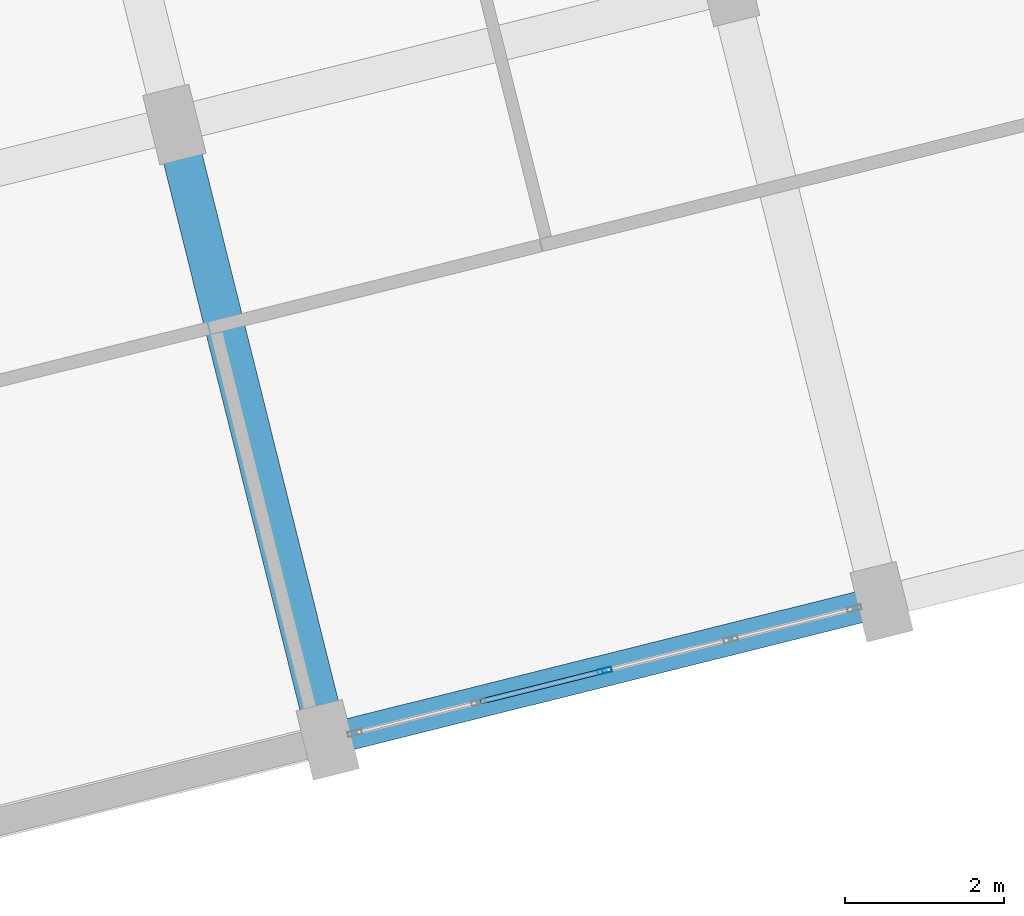
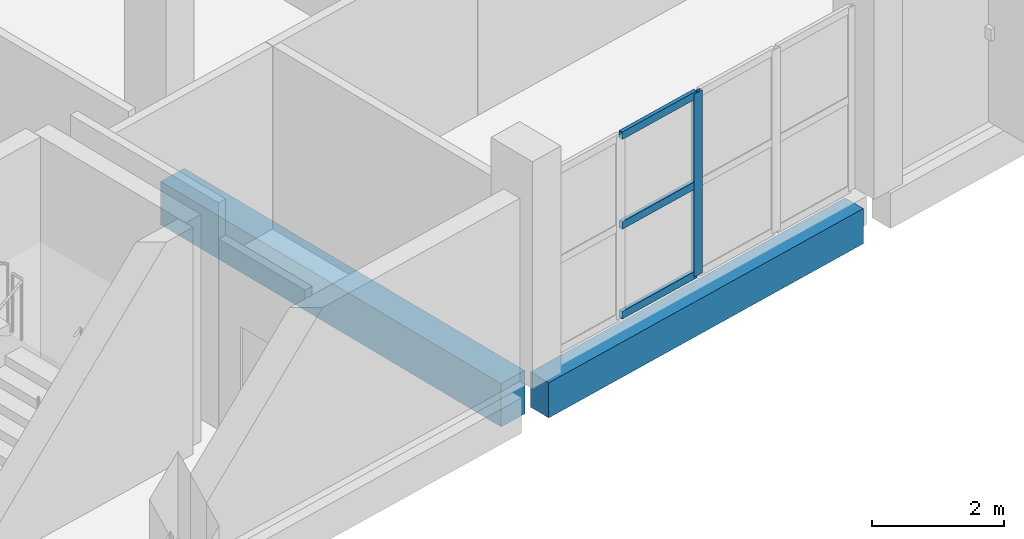
# One storey, part 106 of 164: 4 members, 2 beams, 1 element without a shape of its own.
"""IFC4 building model written with IfcOpenShell, lengths in metres."""

from ifc_helpers import new_model, si_unit, direction, frame, origin, origin_2d, place, context, subcontext, project, spatial, rectangle, hollow_rectangle, extrude, material, layer, layer_set, material_profile, profile_set, type_object, element, aggregate, save


model = new_model("IFC4")

# Units and contexts
model_context = context("Model", 3, precision=1e-05, world=origin(), true_north=direction((0.0, 1.0)))
body_context = subcontext(model_context, "Body", "Model", "MODEL_VIEW")
ifc_project = project(units=[si_unit("LENGTHUNIT", "METRE"), si_unit("AREAUNIT", "SQUARE_METRE"), si_unit("VOLUMEUNIT", "CUBIC_METRE"), si_unit("PLANEANGLEUNIT", "RADIAN"), si_unit("MASSUNIT", "GRAM", prefix="KILO")], contexts=[model_context])

# Site, building, storey
site_placement = place(None, origin())
site = spatial("IfcSite", under=ifc_project, at=site_placement, CompositionType="ELEMENT")
building_placement = place(site_placement, origin())
building = spatial("IfcBuilding", under=site, at=building_placement, Name="Mawjan Specialist Oncology Clinic", CompositionType="ELEMENT")
storey_placement = place(building_placement, frame((0.0, 0.0, 5.0)))
storey = spatial("IfcBuildingStorey", under=building, at=storey_placement, Name="L01", CompositionType="ELEMENT", Elevation=5.0)

# Beam
ifc_material_1 = material(Name="Concrete C45/55", Category="concrete")
ifc_material_profile_1 = material_profile(ifc_material_1, rectangle(XDim=0.5, YDim=0.800048828125, at=origin_2d()), Name="RC BM 500x800", Category="concrete")
ifc_profile_set_1 = profile_set([ifc_material_profile_1], Name="Concrete C45/55")
beam_type_1 = type_object("IfcBeamType", Name="BM-500x800", PredefinedType="BEAM", material=ifc_profile_set_1)
beam_1_placement = place(storey_placement, frame((139.9033203125, 4.560302734375, -0.699951171875), z_axis=(-0.241940252994, 0.970291149079, 0.0), x_axis=(-0.970291149079, -0.241940252994, 0.0)))
element("IfcBeam", 1, at=beam_1_placement, inside=storey, type_object=beam_type_1, Name="L01 Collector Beam BM-L01-0620", PredefinedType="BEAM", context=body_context, shape_type="SweptSolid", body=[
    extrude(rectangle(XDim=0.5, YDim=0.800048828125, at=origin_2d()), origin(), (0.0, 0.0, 1.0), 7.429931640625),
])

# Curtain wall, members
ifc_material_2 = material(Name="Unitised spectrally selective aluminium curtain wall", Category="aluminium")
ifc_layer = layer(ifc_material_2, 0.179931640625, Name="Unitised spectrally selective aluminium curtain wall", Category="aluminium")
ifc_layer_set = layer_set([ifc_layer], Name="Unitised spectrally selective aluminium curtain wall")
curtain_wall_type = type_object("IfcCurtainWallType", Name="CW-44", PredefinedType="NOTDEFINED", material=ifc_layer_set)
curtain_wall_placement = place(storey_placement, origin())
curtain_wall = element("IfcCurtainWall", 2, at=curtain_wall_placement, inside=storey, type_object=curtain_wall_type, Name="L01 Unitised Curtain Wall CW-L01-088", PredefinedType="NOTDEFINED")
ifc_material_3 = material(Name="Thermally broken aluminium 6063-T6", Category="aluminium")
ifc_material_profile_2 = material_profile(ifc_material_3, hollow_rectangle(XDim=0.06494140625, YDim=0.179931640625, WallThickness=0.00390625, at=origin_2d()), Name="ALU MULLION 180x65x4", Category="aluminium")
ifc_profile_set_2 = profile_set([ifc_material_profile_2], Name="Thermally broken aluminium 6063-T6")
member_type_1 = type_object("IfcMemberType", Name="CW-M180", PredefinedType="MULLION", material=ifc_profile_set_2)
member_1_placement = place(storey_placement, frame((143.46533203125, 5.154541015625, 0.0), z_axis=(0.0, 0.0, 1.0), x_axis=(0.241921946692, -0.970295713537, 0.0)))
member_1 = element("IfcMember", 3, at=member_1_placement, type_object=member_type_1, Name="CW-44 mullion 3", PredefinedType="MULLION", context=body_context, shape_type="SweptSolid", body=[
    extrude(hollow_rectangle(XDim=0.06494140625, YDim=0.179931640625, WallThickness=0.00390625, at=origin_2d()), origin(), (0.0, 0.0, 1.0), 3.385009765625),
])
ifc_material_4 = material(Name="Thermally broken aluminium 6063-T6", Category="aluminium")
ifc_material_profile_3 = material_profile(ifc_material_4, hollow_rectangle(XDim=0.06494140625, YDim=0.139892578125, WallThickness=0.00390625, at=origin_2d()), Name="ALU TRANSOM 140x65x4", Category="aluminium")
ifc_profile_set_3 = profile_set([ifc_material_profile_3], Name="Thermally broken aluminium 6063-T6")
member_type_2 = type_object("IfcMemberType", Name="CW-T140", PredefinedType="USERDEFINED", material=ifc_profile_set_3)
member_2_placement = place(storey_placement, frame((143.433837890625, 5.146728515625, 0.032470703125), z_axis=(-0.970288205236, -0.241952058846, 0.0), x_axis=(0.241952058846, -0.970288205236, 0.0)))
member_2 = element("IfcMember", 4, at=member_2_placement, type_object=member_type_2, Name="CW-44 transom 3.1", ObjectType="TRANSOM", PredefinedType="USERDEFINED", context=body_context, shape_type="SweptSolid", body=[
    extrude(hollow_rectangle(XDim=0.06494140625, YDim=0.139892578125, WallThickness=0.00390625, at=origin_2d()), origin(), (0.0, 0.0, 1.0), 1.5751953125),
])
member_3_placement = place(storey_placement, frame((143.433837890625, 5.146728515625, 1.6923828125), z_axis=(-0.970288205236, -0.241952058846, 0.0), x_axis=(0.241952058846, -0.970288205236, 0.0)))
member_3 = element("IfcMember", 5, at=member_3_placement, type_object=member_type_2, Name="CW-44 transom 3.2", ObjectType="TRANSOM", PredefinedType="USERDEFINED", context=body_context, shape_type="SweptSolid", body=[
    extrude(hollow_rectangle(XDim=0.06494140625, YDim=0.139892578125, WallThickness=0.00390625, at=origin_2d()), origin(), (0.0, 0.0, 1.0), 1.5751953125),
])
member_4_placement = place(storey_placement, frame((143.433837890625, 5.146728515625, 3.3525390625), z_axis=(-0.970288205236, -0.241952058846, 0.0), x_axis=(0.241952058846, -0.970288205236, 0.0)))
member_4 = element("IfcMember", 6, at=member_4_placement, type_object=member_type_2, Name="CW-44 transom 3.3", ObjectType="TRANSOM", PredefinedType="USERDEFINED", context=body_context, shape_type="SweptSolid", body=[
    extrude(hollow_rectangle(XDim=0.06494140625, YDim=0.139892578125, WallThickness=0.00390625, at=origin_2d()), origin(), (0.0, 0.0, 1.0), 1.5751953125),
])
aggregate(curtain_wall, [member_1, member_2, member_3, member_4])

# Beam
ifc_material_5 = material(Name="Concrete C45/55", Category="concrete")
ifc_material_profile_4 = material_profile(ifc_material_5, rectangle(XDim=0.39990234375, YDim=0.64990234375, at=origin_2d()), Name="RC BM 400x650", Category="concrete")
ifc_profile_set_4 = profile_set([ifc_material_profile_4], Name="Concrete C45/55")
beam_type_2 = type_object("IfcBeamType", Name="SP-400x650", PredefinedType="SPANDREL", material=ifc_profile_set_4)
beam_2_placement = place(storey_placement, frame((140.248779296875, 4.3525390625, -0.625), z_axis=(0.970293935913, 0.241929076241, 0.0), x_axis=(-0.241929076241, 0.970293935913, 0.0)))
element("IfcBeam", 7, at=beam_2_placement, inside=storey, type_object=beam_type_2, Name="L01 Spandrel Beam BM-L01-0587", PredefinedType="SPANDREL", context=body_context, shape_type="SweptSolid", body=[
    extrude(rectangle(XDim=0.39990234375, YDim=0.64990234375, at=origin_2d()), origin(), (0.0, 0.0, 1.0), 6.630126953125),
])

save(model, "model.ifc")
